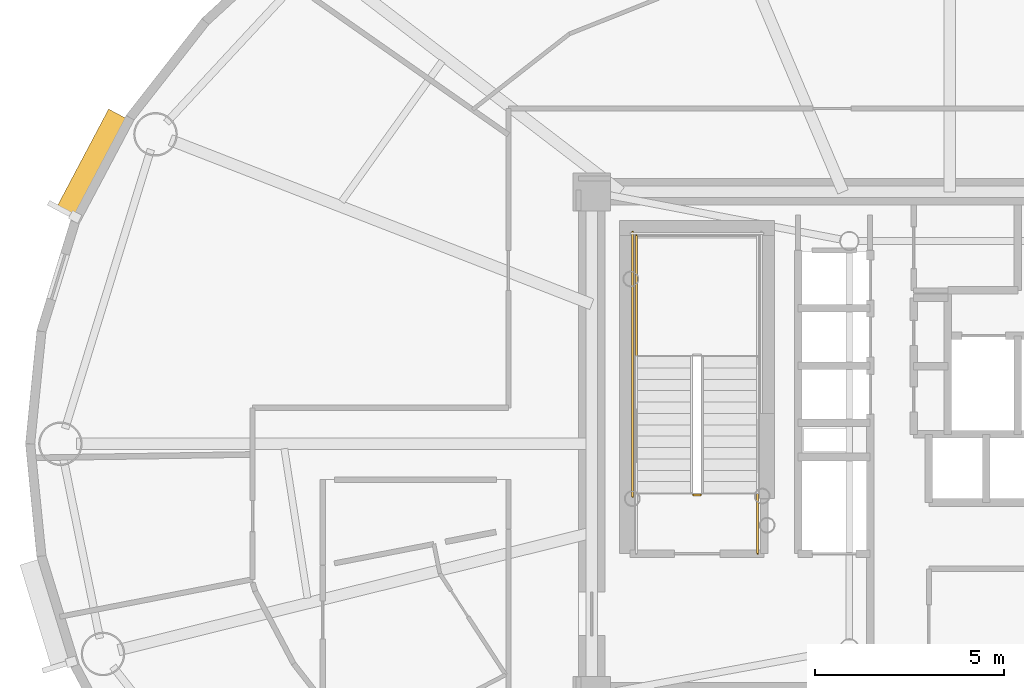
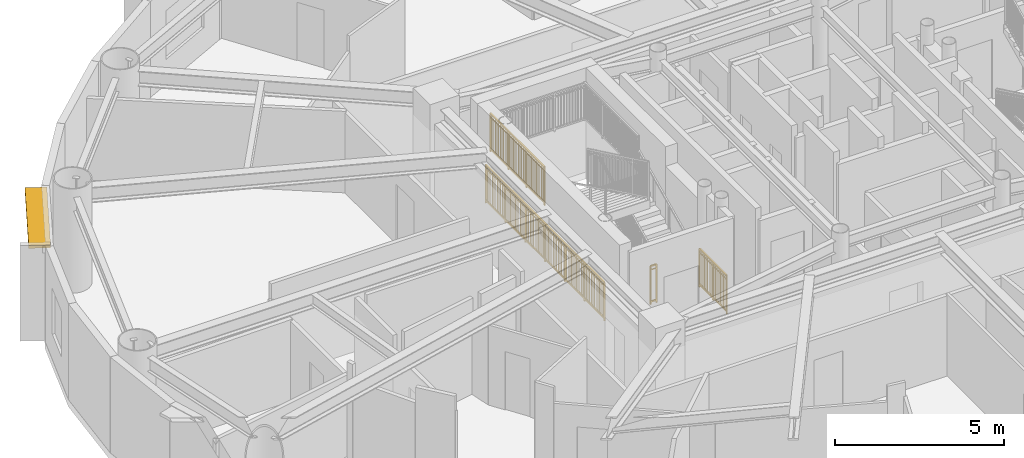
# One storey, part 13 of 18: 4 railings, 1 shading device.
"""IFC4 building model written with IfcOpenShell, lengths in metres."""

from ifc_helpers import new_model, si_unit, direction, frame, origin, origin_2d, place, context, subcontext, project, spatial, rectangle, extrude, source, transform, mapped, material, layer, layer_set, type_object, element, save


model = new_model("IFC4")

# Units and contexts
model_context = context("Model", 3, precision=1e-05, world=origin(), true_north=direction((0.0, 1.0)))
body_context = subcontext(model_context, "Body", "Model", "MODEL_VIEW")
ifc_project = project(units=[si_unit("LENGTHUNIT", "METRE"), si_unit("AREAUNIT", "SQUARE_METRE"), si_unit("VOLUMEUNIT", "CUBIC_METRE"), si_unit("PLANEANGLEUNIT", "RADIAN"), si_unit("MASSUNIT", "GRAM", prefix="KILO")], contexts=[model_context])

# Site, building, storey
site_placement = place(None, origin())
site = spatial("IfcSite", under=ifc_project, at=site_placement, CompositionType="ELEMENT")
building_placement = place(site_placement, origin())
building = spatial("IfcBuilding", under=site, at=building_placement, Name="Linh Dai School and Residence Tower", CompositionType="ELEMENT")
storey_placement = place(building_placement, frame((0.0, 0.0, 259.050048828125)))
storey = spatial("IfcBuildingStorey", under=building, at=storey_placement, Name="L64", CompositionType="ELEMENT", Elevation=259.050048828125)

# Shading device
ifc_material_1 = material(Name="Terracotta Ceramic Sunshade", Category="masonry")
ifc_layer = layer(ifc_material_1, 0.10009765625)
ifc_layer_set = layer_set([ifc_layer], Name="Terracotta Ceramic Sunshade")
shading_device_type = type_object("IfcShadingDeviceType", Name="SHD-TC-650", PredefinedType="USERDEFINED", material=ifc_layer_set)
shared_shape_1 = source(origin(), body_context, "Body", "SweptSolid", [
    extrude(rectangle(XDim=2.986083984375, YDim=0.64990234375, at=origin_2d()), origin(), (0.0, 0.0, 1.0), 0.10009765625),
])
shading_device_placement = place(storey_placement, frame((13.385009765625, 34.36376953125, 3.329833984375), z_axis=(0.0, 0.0, 1.0), x_axis=(0.467621224891, 0.883928950783, 0.0)))
element("IfcShadingDevice", 1, at=shading_device_placement, inside=storey, type_object=shading_device_type, Name="L64 Terracotta Horizontal Sunshade Band 18", ObjectType="SUNSHADE", PredefinedType="USERDEFINED", context=body_context, shape_type="MappedRepresentation", body=[
    mapped(shared_shape_1, transform((0.0, 0.0, 0.0), x_axis=(1.0, 0.0, 0.0), y_axis=(0.0, 1.0, 0.0), z_axis=(0.0, 0.0, 1.0), scale=1.0)),
])

# Railings
ifc_material_2 = material(Name="Structural Steel S355JR", Category="steel")
railing_type = type_object("IfcRailingType", Name="RL-ST-GUARD-1400", PredefinedType="GUARDRAIL", material=ifc_material_2)
shared_shape_2 = source(origin(), body_context, "Body", "SweptSolid", [
    extrude(rectangle(XDim=0.048095703125, YDim=0.048095703125, at=origin_2d()), frame((0.0, 0.0, 1.3759765625), z_axis=(-1.0, 0.0, 0.0), x_axis=(0.0, -1.0, 0.0)), (0.0, 0.0, 1.0), 0.199951171875),
    extrude(rectangle(XDim=0.048095703125, YDim=0.048095703125, at=origin_2d()), frame((0.0, 0.0, 0.10009765625), z_axis=(-1.0, 0.0, 0.0), x_axis=(0.0, -1.0, 0.0)), (0.0, 0.0, 1.0), 0.199951171875),
    extrude(rectangle(XDim=0.030029296875, YDim=0.030029296875, at=origin_2d()), frame((0.0, 0.0, 1.239990234375), z_axis=(-1.0, 0.0, 0.0), x_axis=(0.0, -1.0, 0.0)), (0.0, 0.0, 1.0), 0.199951171875),
    extrude(rectangle(XDim=0.0419921875, YDim=0.0419921875, at=origin_2d()), origin(), (0.0, 0.0, 1.0), 1.3759765625),
    extrude(rectangle(XDim=0.0419921875, YDim=0.0419921875, at=origin_2d()), frame((-0.199951171875, 0.0, 0.0)), (0.0, 0.0, 1.0), 1.3759765625),
])
railing_1_placement = place(storey_placement, frame((29.429931640625, 25.64990234375, 0.0)))
element("IfcRailing", 2, at=railing_1_placement, inside=storey, type_object=railing_type, Name="L64 ST1 stair guard 7", PredefinedType="GUARDRAIL", context=body_context, shape_type="MappedRepresentation", body=[
    mapped(shared_shape_2, transform((0.0, 0.0, 0.0), x_axis=(1.0, 0.0, 0.0), y_axis=(0.0, 1.0, 0.0), z_axis=(0.0, 0.0, 1.0), scale=1.0)),
])
shared_shape_3 = source(origin(), body_context, "Body", "SweptSolid", [
    extrude(rectangle(XDim=0.048095703125, YDim=0.048095703125, at=origin_2d()), frame((0.0, 0.0, 1.3759765625), z_axis=(0.0, 1.0, 0.0), x_axis=(-1.0, 0.0, 0.0)), (0.0, 0.0, 1.0), 1.599853515625),
    extrude(rectangle(XDim=0.048095703125, YDim=0.048095703125, at=origin_2d()), frame((0.0, 0.0, 0.10009765625), z_axis=(0.0, 1.0, 0.0), x_axis=(-1.0, 0.0, 0.0)), (0.0, 0.0, 1.0), 1.599853515625),
    extrude(rectangle(XDim=0.030029296875, YDim=0.030029296875, at=origin_2d()), frame((0.0, 0.0, 1.239990234375), z_axis=(0.0, 1.0, 0.0), x_axis=(-1.0, 0.0, 0.0)), (0.0, 0.0, 1.0), 1.599853515625),
    extrude(rectangle(XDim=0.02001953125, YDim=0.02001953125, at=origin_2d()), frame((0.0, 0.093994140625, 0.10009765625)), (0.0, 0.0, 1.0), 1.251708984375),
    extrude(rectangle(XDim=0.02001953125, YDim=0.02001953125, at=origin_2d()), frame((0.0, 0.188232421875, 0.10009765625)), (0.0, 0.0, 1.0), 1.251708984375),
    extrude(rectangle(XDim=0.02001953125, YDim=0.02001953125, at=origin_2d()), frame((0.0, 0.2822265625, 0.10009765625)), (0.0, 0.0, 1.0), 1.251708984375),
    extrude(rectangle(XDim=0.02001953125, YDim=0.02001953125, at=origin_2d()), frame((0.0, 0.37646484375, 0.10009765625)), (0.0, 0.0, 1.0), 1.251708984375),
    extrude(rectangle(XDim=0.02001953125, YDim=0.02001953125, at=origin_2d()), frame((0.0, 0.470458984375, 0.10009765625)), (0.0, 0.0, 1.0), 1.251708984375),
    extrude(rectangle(XDim=0.02001953125, YDim=0.02001953125, at=origin_2d()), frame((0.0, 0.564697265625, 0.10009765625)), (0.0, 0.0, 1.0), 1.251708984375),
    extrude(rectangle(XDim=0.02001953125, YDim=0.02001953125, at=origin_2d()), frame((0.0, 0.65869140625, 0.10009765625)), (0.0, 0.0, 1.0), 1.251708984375),
    extrude(rectangle(XDim=0.02001953125, YDim=0.02001953125, at=origin_2d()), frame((0.0, 0.7529296875, 0.10009765625)), (0.0, 0.0, 1.0), 1.251708984375),
    extrude(rectangle(XDim=0.02001953125, YDim=0.02001953125, at=origin_2d()), frame((0.0, 0.846923828125, 0.10009765625)), (0.0, 0.0, 1.0), 1.251708984375),
    extrude(rectangle(XDim=0.02001953125, YDim=0.02001953125, at=origin_2d()), frame((0.0, 0.941162109375, 0.10009765625)), (0.0, 0.0, 1.0), 1.251708984375),
    extrude(rectangle(XDim=0.02001953125, YDim=0.02001953125, at=origin_2d()), frame((0.0, 1.03515625, 0.10009765625)), (0.0, 0.0, 1.0), 1.251708984375),
    extrude(rectangle(XDim=0.02001953125, YDim=0.02001953125, at=origin_2d()), frame((0.0, 1.12939453125, 0.10009765625)), (0.0, 0.0, 1.0), 1.251708984375),
    extrude(rectangle(XDim=0.02001953125, YDim=0.02001953125, at=origin_2d()), frame((0.0, 1.223388671875, 0.10009765625)), (0.0, 0.0, 1.0), 1.251708984375),
    extrude(rectangle(XDim=0.02001953125, YDim=0.02001953125, at=origin_2d()), frame((0.0, 1.317626953125, 0.10009765625)), (0.0, 0.0, 1.0), 1.251708984375),
    extrude(rectangle(XDim=0.02001953125, YDim=0.02001953125, at=origin_2d()), frame((0.0, 1.41162109375, 0.10009765625)), (0.0, 0.0, 1.0), 1.251708984375),
    extrude(rectangle(XDim=0.02001953125, YDim=0.02001953125, at=origin_2d()), frame((0.0, 1.505859375, 0.10009765625)), (0.0, 0.0, 1.0), 1.251708984375),
    extrude(rectangle(XDim=0.0419921875, YDim=0.0419921875, at=origin_2d()), origin(), (0.0, 0.0, 1.0), 1.3759765625),
    extrude(rectangle(XDim=0.0419921875, YDim=0.0419921875, at=origin_2d()), frame((0.0, 0.7998046875, 0.0)), (0.0, 0.0, 1.0), 1.3759765625),
    extrude(rectangle(XDim=0.0419921875, YDim=0.0419921875, at=origin_2d()), frame((0.0, 1.599853515625, 0.0)), (0.0, 0.0, 1.0), 1.3759765625),
])
railing_2_placement = place(storey_placement, frame((30.929931640625, 24.10009765625, 0.0)))
element("IfcRailing", 3, at=railing_2_placement, inside=storey, type_object=railing_type, Name="L64 ST1 stair guard 8", PredefinedType="GUARDRAIL", context=body_context, shape_type="MappedRepresentation", body=[
    mapped(shared_shape_3, transform((0.0, 0.0, 0.0), x_axis=(1.0, 0.0, 0.0), y_axis=(0.0, 1.0, 0.0), z_axis=(0.0, 0.0, 1.0), scale=1.0)),
])
shared_shape_4 = source(origin(), body_context, "Body", "SweptSolid", [
    extrude(rectangle(XDim=0.048095703125, YDim=0.048095703125, at=origin_2d()), frame((0.0, 0.0, 1.3759765625), z_axis=(0.0, 1.0, 0.0), x_axis=(-1.0, 0.0, 0.0)), (0.0, 0.0, 1.0), 7.0),
    extrude(rectangle(XDim=0.048095703125, YDim=0.048095703125, at=origin_2d()), frame((0.0, 0.0, 0.10009765625), z_axis=(0.0, 1.0, 0.0), x_axis=(-1.0, 0.0, 0.0)), (0.0, 0.0, 1.0), 7.0),
    extrude(rectangle(XDim=0.030029296875, YDim=0.030029296875, at=origin_2d()), frame((0.0, 0.0, 1.239990234375), z_axis=(0.0, 1.0, 0.0), x_axis=(-1.0, 0.0, 0.0)), (0.0, 0.0, 1.0), 7.0),
    extrude(rectangle(XDim=0.02001953125, YDim=0.02001953125, at=origin_2d()), frame((0.0, 0.09716796875, 0.10009765625)), (0.0, 0.0, 1.0), 1.251708984375),
    extrude(rectangle(XDim=0.02001953125, YDim=0.02001953125, at=origin_2d()), frame((0.0, 0.1943359375, 0.10009765625)), (0.0, 0.0, 1.0), 1.251708984375),
    extrude(rectangle(XDim=0.02001953125, YDim=0.02001953125, at=origin_2d()), frame((0.0, 0.291748046875, 0.10009765625)), (0.0, 0.0, 1.0), 1.251708984375),
    extrude(rectangle(XDim=0.02001953125, YDim=0.02001953125, at=origin_2d()), frame((0.0, 0.388916015625, 0.10009765625)), (0.0, 0.0, 1.0), 1.251708984375),
    extrude(rectangle(XDim=0.02001953125, YDim=0.02001953125, at=origin_2d()), frame((0.0, 0.486083984375, 0.10009765625)), (0.0, 0.0, 1.0), 1.251708984375),
    extrude(rectangle(XDim=0.02001953125, YDim=0.02001953125, at=origin_2d()), frame((0.0, 0.583251953125, 0.10009765625)), (0.0, 0.0, 1.0), 1.251708984375),
    extrude(rectangle(XDim=0.02001953125, YDim=0.02001953125, at=origin_2d()), frame((0.0, 0.6806640625, 0.10009765625)), (0.0, 0.0, 1.0), 1.251708984375),
    extrude(rectangle(XDim=0.02001953125, YDim=0.02001953125, at=origin_2d()), frame((0.0, 0.77783203125, 0.10009765625)), (0.0, 0.0, 1.0), 1.251708984375),
    extrude(rectangle(XDim=0.02001953125, YDim=0.02001953125, at=origin_2d()), frame((0.0, 0.875, 0.10009765625)), (0.0, 0.0, 1.0), 1.251708984375),
    extrude(rectangle(XDim=0.02001953125, YDim=0.02001953125, at=origin_2d()), frame((0.0, 0.97216796875, 0.10009765625)), (0.0, 0.0, 1.0), 1.251708984375),
    extrude(rectangle(XDim=0.02001953125, YDim=0.02001953125, at=origin_2d()), frame((0.0, 1.0693359375, 0.10009765625)), (0.0, 0.0, 1.0), 1.251708984375),
    extrude(rectangle(XDim=0.02001953125, YDim=0.02001953125, at=origin_2d()), frame((0.0, 1.263916015625, 0.10009765625)), (0.0, 0.0, 1.0), 1.251708984375),
    extrude(rectangle(XDim=0.02001953125, YDim=0.02001953125, at=origin_2d()), frame((0.0, 1.361083984375, 0.10009765625)), (0.0, 0.0, 1.0), 1.251708984375),
    extrude(rectangle(XDim=0.02001953125, YDim=0.02001953125, at=origin_2d()), frame((0.0, 1.458251953125, 0.10009765625)), (0.0, 0.0, 1.0), 1.251708984375),
    extrude(rectangle(XDim=0.02001953125, YDim=0.02001953125, at=origin_2d()), frame((0.0, 1.5556640625, 0.10009765625)), (0.0, 0.0, 1.0), 1.251708984375),
    extrude(rectangle(XDim=0.02001953125, YDim=0.02001953125, at=origin_2d()), frame((0.0, 1.65283203125, 0.10009765625)), (0.0, 0.0, 1.0), 1.251708984375),
    extrude(rectangle(XDim=0.02001953125, YDim=0.02001953125, at=origin_2d()), frame((0.0, 1.75, 0.10009765625)), (0.0, 0.0, 1.0), 1.251708984375),
    extrude(rectangle(XDim=0.02001953125, YDim=0.02001953125, at=origin_2d()), frame((0.0, 1.84716796875, 0.10009765625)), (0.0, 0.0, 1.0), 1.251708984375),
    extrude(rectangle(XDim=0.02001953125, YDim=0.02001953125, at=origin_2d()), frame((0.0, 1.9443359375, 0.10009765625)), (0.0, 0.0, 1.0), 1.251708984375),
    extrude(rectangle(XDim=0.02001953125, YDim=0.02001953125, at=origin_2d()), frame((0.0, 2.041748046875, 0.10009765625)), (0.0, 0.0, 1.0), 1.251708984375),
    extrude(rectangle(XDim=0.02001953125, YDim=0.02001953125, at=origin_2d()), frame((0.0, 2.138916015625, 0.10009765625)), (0.0, 0.0, 1.0), 1.251708984375),
    extrude(rectangle(XDim=0.02001953125, YDim=0.02001953125, at=origin_2d()), frame((0.0, 2.236083984375, 0.10009765625)), (0.0, 0.0, 1.0), 1.251708984375),
    extrude(rectangle(XDim=0.02001953125, YDim=0.02001953125, at=origin_2d()), frame((0.0, 2.4306640625, 0.10009765625)), (0.0, 0.0, 1.0), 1.251708984375),
    extrude(rectangle(XDim=0.02001953125, YDim=0.02001953125, at=origin_2d()), frame((0.0, 2.52783203125, 0.10009765625)), (0.0, 0.0, 1.0), 1.251708984375),
    extrude(rectangle(XDim=0.02001953125, YDim=0.02001953125, at=origin_2d()), frame((0.0, 2.625, 0.10009765625)), (0.0, 0.0, 1.0), 1.251708984375),
    extrude(rectangle(XDim=0.02001953125, YDim=0.02001953125, at=origin_2d()), frame((0.0, 2.72216796875, 0.10009765625)), (0.0, 0.0, 1.0), 1.251708984375),
    extrude(rectangle(XDim=0.02001953125, YDim=0.02001953125, at=origin_2d()), frame((0.0, 2.8193359375, 0.10009765625)), (0.0, 0.0, 1.0), 1.251708984375),
    extrude(rectangle(XDim=0.02001953125, YDim=0.02001953125, at=origin_2d()), frame((0.0, 2.916748046875, 0.10009765625)), (0.0, 0.0, 1.0), 1.251708984375),
    extrude(rectangle(XDim=0.02001953125, YDim=0.02001953125, at=origin_2d()), frame((0.0, 3.013916015625, 0.10009765625)), (0.0, 0.0, 1.0), 1.251708984375),
    extrude(rectangle(XDim=0.02001953125, YDim=0.02001953125, at=origin_2d()), frame((0.0, 3.111083984375, 0.10009765625)), (0.0, 0.0, 1.0), 1.251708984375),
    extrude(rectangle(XDim=0.02001953125, YDim=0.02001953125, at=origin_2d()), frame((0.0, 3.208251953125, 0.10009765625)), (0.0, 0.0, 1.0), 1.251708984375),
    extrude(rectangle(XDim=0.02001953125, YDim=0.02001953125, at=origin_2d()), frame((0.0, 3.3056640625, 0.10009765625)), (0.0, 0.0, 1.0), 1.251708984375),
    extrude(rectangle(XDim=0.02001953125, YDim=0.02001953125, at=origin_2d()), frame((0.0, 3.40283203125, 0.10009765625)), (0.0, 0.0, 1.0), 1.251708984375),
    extrude(rectangle(XDim=0.02001953125, YDim=0.02001953125, at=origin_2d()), frame((0.0, 3.59716796875, 0.10009765625)), (0.0, 0.0, 1.0), 1.251708984375),
    extrude(rectangle(XDim=0.02001953125, YDim=0.02001953125, at=origin_2d()), frame((0.0, 3.6943359375, 0.10009765625)), (0.0, 0.0, 1.0), 1.251708984375),
    extrude(rectangle(XDim=0.02001953125, YDim=0.02001953125, at=origin_2d()), frame((0.0, 3.791748046875, 0.10009765625)), (0.0, 0.0, 1.0), 1.251708984375),
    extrude(rectangle(XDim=0.02001953125, YDim=0.02001953125, at=origin_2d()), frame((0.0, 3.888916015625, 0.10009765625)), (0.0, 0.0, 1.0), 1.251708984375),
    extrude(rectangle(XDim=0.02001953125, YDim=0.02001953125, at=origin_2d()), frame((0.0, 3.986083984375, 0.10009765625)), (0.0, 0.0, 1.0), 1.251708984375),
    extrude(rectangle(XDim=0.02001953125, YDim=0.02001953125, at=origin_2d()), frame((0.0, 4.083251953125, 0.10009765625)), (0.0, 0.0, 1.0), 1.251708984375),
    extrude(rectangle(XDim=0.02001953125, YDim=0.02001953125, at=origin_2d()), frame((0.0, 4.1806640625, 0.10009765625)), (0.0, 0.0, 1.0), 1.251708984375),
    extrude(rectangle(XDim=0.02001953125, YDim=0.02001953125, at=origin_2d()), frame((0.0, 4.27783203125, 0.10009765625)), (0.0, 0.0, 1.0), 1.251708984375),
    extrude(rectangle(XDim=0.02001953125, YDim=0.02001953125, at=origin_2d()), frame((0.0, 4.375, 0.10009765625)), (0.0, 0.0, 1.0), 1.251708984375),
    extrude(rectangle(XDim=0.02001953125, YDim=0.02001953125, at=origin_2d()), frame((0.0, 4.47216796875, 0.10009765625)), (0.0, 0.0, 1.0), 1.251708984375),
    extrude(rectangle(XDim=0.02001953125, YDim=0.02001953125, at=origin_2d()), frame((0.0, 4.5693359375, 0.10009765625)), (0.0, 0.0, 1.0), 1.251708984375),
    extrude(rectangle(XDim=0.02001953125, YDim=0.02001953125, at=origin_2d()), frame((0.0, 4.763916015625, 0.10009765625)), (0.0, 0.0, 1.0), 1.251708984375),
    extrude(rectangle(XDim=0.02001953125, YDim=0.02001953125, at=origin_2d()), frame((0.0, 4.861083984375, 0.10009765625)), (0.0, 0.0, 1.0), 1.251708984375),
    extrude(rectangle(XDim=0.02001953125, YDim=0.02001953125, at=origin_2d()), frame((0.0, 4.958251953125, 0.10009765625)), (0.0, 0.0, 1.0), 1.251708984375),
    extrude(rectangle(XDim=0.02001953125, YDim=0.02001953125, at=origin_2d()), frame((0.0, 5.0556640625, 0.10009765625)), (0.0, 0.0, 1.0), 1.251708984375),
    extrude(rectangle(XDim=0.02001953125, YDim=0.02001953125, at=origin_2d()), frame((0.0, 5.15283203125, 0.10009765625)), (0.0, 0.0, 1.0), 1.251708984375),
    extrude(rectangle(XDim=0.02001953125, YDim=0.02001953125, at=origin_2d()), frame((0.0, 5.25, 0.10009765625)), (0.0, 0.0, 1.0), 1.251708984375),
    extrude(rectangle(XDim=0.02001953125, YDim=0.02001953125, at=origin_2d()), frame((0.0, 5.34716796875, 0.10009765625)), (0.0, 0.0, 1.0), 1.251708984375),
    extrude(rectangle(XDim=0.02001953125, YDim=0.02001953125, at=origin_2d()), frame((0.0, 5.4443359375, 0.10009765625)), (0.0, 0.0, 1.0), 1.251708984375),
    extrude(rectangle(XDim=0.02001953125, YDim=0.02001953125, at=origin_2d()), frame((0.0, 5.541748046875, 0.10009765625)), (0.0, 0.0, 1.0), 1.251708984375),
    extrude(rectangle(XDim=0.02001953125, YDim=0.02001953125, at=origin_2d()), frame((0.0, 5.638916015625, 0.10009765625)), (0.0, 0.0, 1.0), 1.251708984375),
    extrude(rectangle(XDim=0.02001953125, YDim=0.02001953125, at=origin_2d()), frame((0.0, 5.736083984375, 0.10009765625)), (0.0, 0.0, 1.0), 1.251708984375),
    extrude(rectangle(XDim=0.02001953125, YDim=0.02001953125, at=origin_2d()), frame((0.0, 5.9306640625, 0.10009765625)), (0.0, 0.0, 1.0), 1.251708984375),
    extrude(rectangle(XDim=0.02001953125, YDim=0.02001953125, at=origin_2d()), frame((0.0, 6.02783203125, 0.10009765625)), (0.0, 0.0, 1.0), 1.251708984375),
    extrude(rectangle(XDim=0.02001953125, YDim=0.02001953125, at=origin_2d()), frame((0.0, 6.125, 0.10009765625)), (0.0, 0.0, 1.0), 1.251708984375),
    extrude(rectangle(XDim=0.02001953125, YDim=0.02001953125, at=origin_2d()), frame((0.0, 6.22216796875, 0.10009765625)), (0.0, 0.0, 1.0), 1.251708984375),
    extrude(rectangle(XDim=0.02001953125, YDim=0.02001953125, at=origin_2d()), frame((0.0, 6.3193359375, 0.10009765625)), (0.0, 0.0, 1.0), 1.251708984375),
    extrude(rectangle(XDim=0.02001953125, YDim=0.02001953125, at=origin_2d()), frame((0.0, 6.416748046875, 0.10009765625)), (0.0, 0.0, 1.0), 1.251708984375),
    extrude(rectangle(XDim=0.02001953125, YDim=0.02001953125, at=origin_2d()), frame((0.0, 6.513916015625, 0.10009765625)), (0.0, 0.0, 1.0), 1.251708984375),
    extrude(rectangle(XDim=0.02001953125, YDim=0.02001953125, at=origin_2d()), frame((0.0, 6.611083984375, 0.10009765625)), (0.0, 0.0, 1.0), 1.251708984375),
    extrude(rectangle(XDim=0.02001953125, YDim=0.02001953125, at=origin_2d()), frame((0.0, 6.708251953125, 0.10009765625)), (0.0, 0.0, 1.0), 1.251708984375),
    extrude(rectangle(XDim=0.02001953125, YDim=0.02001953125, at=origin_2d()), frame((0.0, 6.8056640625, 0.10009765625)), (0.0, 0.0, 1.0), 1.251708984375),
    extrude(rectangle(XDim=0.02001953125, YDim=0.02001953125, at=origin_2d()), frame((0.0, 6.90283203125, 0.10009765625)), (0.0, 0.0, 1.0), 1.251708984375),
    extrude(rectangle(XDim=0.0419921875, YDim=0.0419921875, at=origin_2d()), origin(), (0.0, 0.0, 1.0), 1.3759765625),
    extrude(rectangle(XDim=0.0419921875, YDim=0.0419921875, at=origin_2d()), frame((0.0, 1.166748046875, 0.0)), (0.0, 0.0, 1.0), 1.3759765625),
    extrude(rectangle(XDim=0.0419921875, YDim=0.0419921875, at=origin_2d()), frame((0.0, 2.333251953125, 0.0)), (0.0, 0.0, 1.0), 1.3759765625),
    extrude(rectangle(XDim=0.0419921875, YDim=0.0419921875, at=origin_2d()), frame((0.0, 3.5, 0.0)), (0.0, 0.0, 1.0), 1.3759765625),
    extrude(rectangle(XDim=0.0419921875, YDim=0.0419921875, at=origin_2d()), frame((0.0, 4.666748046875, 0.0)), (0.0, 0.0, 1.0), 1.3759765625),
    extrude(rectangle(XDim=0.0419921875, YDim=0.0419921875, at=origin_2d()), frame((0.0, 5.833251953125, 0.0)), (0.0, 0.0, 1.0), 1.3759765625),
    extrude(rectangle(XDim=0.0419921875, YDim=0.0419921875, at=origin_2d()), frame((0.0, 7.0, 0.0)), (0.0, 0.0, 1.0), 1.3759765625),
])
railing_3_placement = place(storey_placement, frame((27.6298828125, 25.60009765625, 0.0)))
element("IfcRailing", 4, at=railing_3_placement, inside=storey, type_object=railing_type, Name="L64 ST1 stair guard 11", PredefinedType="GUARDRAIL", context=body_context, shape_type="MappedRepresentation", body=[
    mapped(shared_shape_4, transform((0.0, 0.0, 0.0), x_axis=(1.0, 0.0, 0.0), y_axis=(0.0, 1.0, 0.0), z_axis=(0.0, 0.0, 1.0), scale=1.0)),
])
shared_shape_5 = source(origin(), body_context, "Body", "SweptSolid", [
    extrude(rectangle(XDim=0.048095703125, YDim=0.048095703125, at=origin_2d()), frame((0.0, 0.0, 1.3759765625), z_axis=(0.0, 1.0, 0.0), x_axis=(-1.0, 0.0, 0.0)), (0.0, 0.0, 1.0), 3.199951171875),
    extrude(rectangle(XDim=0.048095703125, YDim=0.048095703125, at=origin_2d()), frame((0.0, 0.0, 0.10009765625), z_axis=(0.0, 1.0, 0.0), x_axis=(-1.0, 0.0, 0.0)), (0.0, 0.0, 1.0), 3.199951171875),
    extrude(rectangle(XDim=0.030029296875, YDim=0.030029296875, at=origin_2d()), frame((0.0, 0.0, 1.239990234375), z_axis=(0.0, 1.0, 0.0), x_axis=(-1.0, 0.0, 0.0)), (0.0, 0.0, 1.0), 3.199951171875),
    extrude(rectangle(XDim=0.02001953125, YDim=0.02001953125, at=origin_2d()), frame((0.0, 0.096923828125, 0.10009765625)), (0.0, 0.0, 1.0), 1.251708984375),
    extrude(rectangle(XDim=0.02001953125, YDim=0.02001953125, at=origin_2d()), frame((0.0, 0.19384765625, 0.10009765625)), (0.0, 0.0, 1.0), 1.251708984375),
    extrude(rectangle(XDim=0.02001953125, YDim=0.02001953125, at=origin_2d()), frame((0.0, 0.291015625, 0.10009765625)), (0.0, 0.0, 1.0), 1.251708984375),
    extrude(rectangle(XDim=0.02001953125, YDim=0.02001953125, at=origin_2d()), frame((0.0, 0.387939453125, 0.10009765625)), (0.0, 0.0, 1.0), 1.251708984375),
    extrude(rectangle(XDim=0.02001953125, YDim=0.02001953125, at=origin_2d()), frame((0.0, 0.48486328125, 0.10009765625)), (0.0, 0.0, 1.0), 1.251708984375),
    extrude(rectangle(XDim=0.02001953125, YDim=0.02001953125, at=origin_2d()), frame((0.0, 0.581787109375, 0.10009765625)), (0.0, 0.0, 1.0), 1.251708984375),
    extrude(rectangle(XDim=0.02001953125, YDim=0.02001953125, at=origin_2d()), frame((0.0, 0.6787109375, 0.10009765625)), (0.0, 0.0, 1.0), 1.251708984375),
    extrude(rectangle(XDim=0.02001953125, YDim=0.02001953125, at=origin_2d()), frame((0.0, 0.775634765625, 0.10009765625)), (0.0, 0.0, 1.0), 1.251708984375),
    extrude(rectangle(XDim=0.02001953125, YDim=0.02001953125, at=origin_2d()), frame((0.0, 0.872802734375, 0.10009765625)), (0.0, 0.0, 1.0), 1.251708984375),
    extrude(rectangle(XDim=0.02001953125, YDim=0.02001953125, at=origin_2d()), frame((0.0, 0.9697265625, 0.10009765625)), (0.0, 0.0, 1.0), 1.251708984375),
    extrude(rectangle(XDim=0.02001953125, YDim=0.02001953125, at=origin_2d()), frame((0.0, 1.16357421875, 0.10009765625)), (0.0, 0.0, 1.0), 1.251708984375),
    extrude(rectangle(XDim=0.02001953125, YDim=0.02001953125, at=origin_2d()), frame((0.0, 1.260498046875, 0.10009765625)), (0.0, 0.0, 1.0), 1.251708984375),
    extrude(rectangle(XDim=0.02001953125, YDim=0.02001953125, at=origin_2d()), frame((0.0, 1.357666015625, 0.10009765625)), (0.0, 0.0, 1.0), 1.251708984375),
    extrude(rectangle(XDim=0.02001953125, YDim=0.02001953125, at=origin_2d()), frame((0.0, 1.45458984375, 0.10009765625)), (0.0, 0.0, 1.0), 1.251708984375),
    extrude(rectangle(XDim=0.02001953125, YDim=0.02001953125, at=origin_2d()), frame((0.0, 1.551513671875, 0.10009765625)), (0.0, 0.0, 1.0), 1.251708984375),
    extrude(rectangle(XDim=0.02001953125, YDim=0.02001953125, at=origin_2d()), frame((0.0, 1.6484375, 0.10009765625)), (0.0, 0.0, 1.0), 1.251708984375),
    extrude(rectangle(XDim=0.02001953125, YDim=0.02001953125, at=origin_2d()), frame((0.0, 1.745361328125, 0.10009765625)), (0.0, 0.0, 1.0), 1.251708984375),
    extrude(rectangle(XDim=0.02001953125, YDim=0.02001953125, at=origin_2d()), frame((0.0, 1.84228515625, 0.10009765625)), (0.0, 0.0, 1.0), 1.251708984375),
    extrude(rectangle(XDim=0.02001953125, YDim=0.02001953125, at=origin_2d()), frame((0.0, 1.939453125, 0.10009765625)), (0.0, 0.0, 1.0), 1.251708984375),
    extrude(rectangle(XDim=0.02001953125, YDim=0.02001953125, at=origin_2d()), frame((0.0, 2.036376953125, 0.10009765625)), (0.0, 0.0, 1.0), 1.251708984375),
    extrude(rectangle(XDim=0.02001953125, YDim=0.02001953125, at=origin_2d()), frame((0.0, 2.230224609375, 0.10009765625)), (0.0, 0.0, 1.0), 1.251708984375),
    extrude(rectangle(XDim=0.02001953125, YDim=0.02001953125, at=origin_2d()), frame((0.0, 2.3271484375, 0.10009765625)), (0.0, 0.0, 1.0), 1.251708984375),
    extrude(rectangle(XDim=0.02001953125, YDim=0.02001953125, at=origin_2d()), frame((0.0, 2.42431640625, 0.10009765625)), (0.0, 0.0, 1.0), 1.251708984375),
    extrude(rectangle(XDim=0.02001953125, YDim=0.02001953125, at=origin_2d()), frame((0.0, 2.521240234375, 0.10009765625)), (0.0, 0.0, 1.0), 1.251708984375),
    extrude(rectangle(XDim=0.02001953125, YDim=0.02001953125, at=origin_2d()), frame((0.0, 2.6181640625, 0.10009765625)), (0.0, 0.0, 1.0), 1.251708984375),
    extrude(rectangle(XDim=0.02001953125, YDim=0.02001953125, at=origin_2d()), frame((0.0, 2.715087890625, 0.10009765625)), (0.0, 0.0, 1.0), 1.251708984375),
    extrude(rectangle(XDim=0.02001953125, YDim=0.02001953125, at=origin_2d()), frame((0.0, 2.81201171875, 0.10009765625)), (0.0, 0.0, 1.0), 1.251708984375),
    extrude(rectangle(XDim=0.02001953125, YDim=0.02001953125, at=origin_2d()), frame((0.0, 2.908935546875, 0.10009765625)), (0.0, 0.0, 1.0), 1.251708984375),
    extrude(rectangle(XDim=0.02001953125, YDim=0.02001953125, at=origin_2d()), frame((0.0, 3.006103515625, 0.10009765625)), (0.0, 0.0, 1.0), 1.251708984375),
    extrude(rectangle(XDim=0.02001953125, YDim=0.02001953125, at=origin_2d()), frame((0.0, 3.10302734375, 0.10009765625)), (0.0, 0.0, 1.0), 1.251708984375),
    extrude(rectangle(XDim=0.0419921875, YDim=0.0419921875, at=origin_2d()), origin(), (0.0, 0.0, 1.0), 1.3759765625),
    extrude(rectangle(XDim=0.0419921875, YDim=0.0419921875, at=origin_2d()), frame((0.0, 1.066650390625, 0.0)), (0.0, 0.0, 1.0), 1.3759765625),
    extrude(rectangle(XDim=0.0419921875, YDim=0.0419921875, at=origin_2d()), frame((0.0, 2.13330078125, 0.0)), (0.0, 0.0, 1.0), 1.3759765625),
    extrude(rectangle(XDim=0.0419921875, YDim=0.0419921875, at=origin_2d()), frame((0.0, 3.199951171875, 0.0)), (0.0, 0.0, 1.0), 1.3759765625),
])
railing_4_placement = place(storey_placement, frame((27.72998046875, 29.300048828125, 1.875)))
element("IfcRailing", 5, at=railing_4_placement, inside=storey, type_object=railing_type, Name="L64 ST1 stair guard 4", PredefinedType="GUARDRAIL", context=body_context, shape_type="MappedRepresentation", body=[
    mapped(shared_shape_5, transform((0.0, 0.0, 0.0), x_axis=(1.0, 0.0, 0.0), y_axis=(0.0, 1.0, 0.0), z_axis=(0.0, 0.0, 1.0), scale=1.0)),
])

save(model, "model.ifc")
